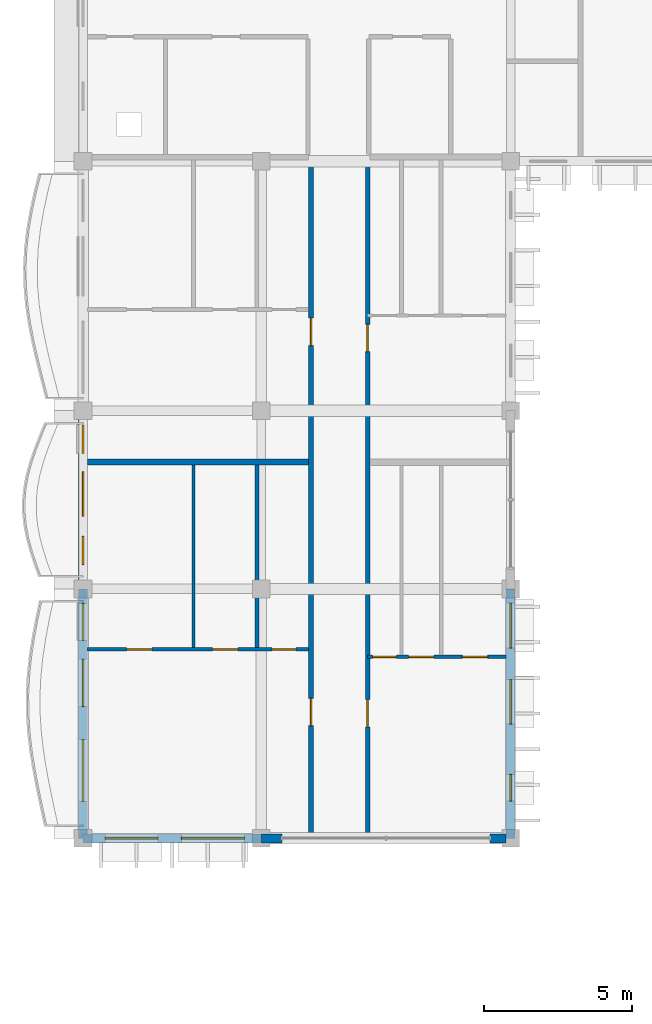
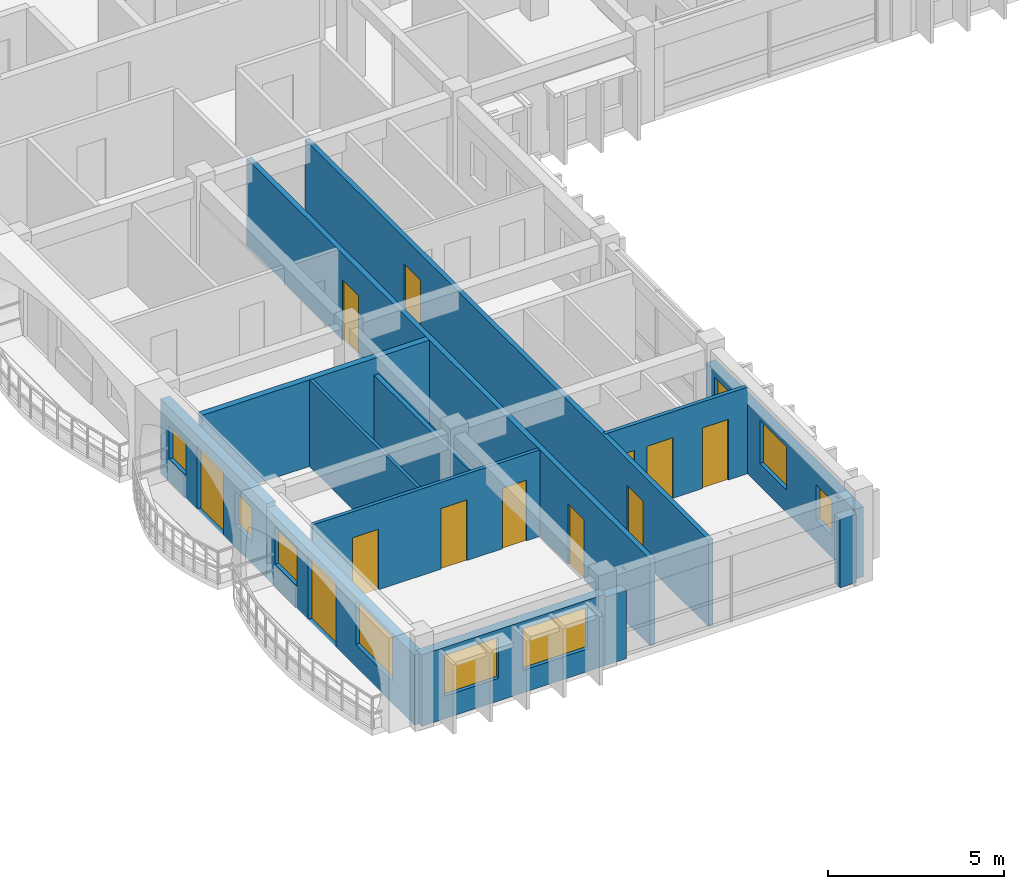
# One storey, part 28 of 68: 13 walls, 12 doors, 9 windows, 21 openings.
"""IFC4 building model written with IfcOpenShell, lengths in metres."""

from ifc_helpers import new_model, si_unit, direction, frame, frame_2d, origin, place, context, subcontext, project, spatial, rectangle, extrude, material, layer, layer_set, type_object, element, fill, save


model = new_model("IFC4")

# Units and contexts
model_context = context("Model", 3, precision=1e-05, world=origin(), true_north=direction((0.0, 1.0)))
body_context = subcontext(model_context, "Body", "Model", "MODEL_VIEW")
ifc_project = project(units=[si_unit("LENGTHUNIT", "METRE"), si_unit("AREAUNIT", "SQUARE_METRE"), si_unit("VOLUMEUNIT", "CUBIC_METRE"), si_unit("PLANEANGLEUNIT", "RADIAN"), si_unit("MASSUNIT", "GRAM", prefix="KILO"), si_unit("THERMODYNAMICTEMPERATUREUNIT", "KELVIN")], contexts=[model_context])

# Site, building, storey
site_placement = place(None, origin())
site = spatial("IfcSite", under=ifc_project, at=site_placement, CompositionType="ELEMENT")
building_placement = place(site_placement, origin())
building = spatial("IfcBuilding", under=site, at=building_placement, Name="Thalorik Housing Commons", CompositionType="ELEMENT")
storey_placement = place(building_placement, frame((0.0, 0.0, 24.60009765625)))
storey = spatial("IfcBuildingStorey", under=building, at=storey_placement, Name="L07", CompositionType="ELEMENT", Elevation=24.60009765625)

# Wall, openings, doors
ifc_material_1 = material(Name="Masonry fire-rated corridor wall", Category="masonry")
ifc_layer_1 = layer(ifc_material_1, 0.14990234375, Name="Masonry fire-rated corridor wall", Category="masonry")
ifc_layer_set_1 = layer_set([ifc_layer_1], Name="Masonry fire-rated corridor wall")
wall_type_1 = type_object("IfcWallType", Name="ARC-WAL-CORR-150", PredefinedType="PARTITIONING", material=ifc_layer_set_1)
wall_1_placement = place(storey_placement, frame((17.97998046875, 86.4599609375, 0.0), z_axis=(0.0, 0.0, 1.0), x_axis=(0.0, 1.0, 0.0)))
wall_1 = element("IfcWall", 1, at=wall_1_placement, inside=storey, type_object=wall_type_1, Name="L07 Block A W Corridor Wall 2", PredefinedType="PARTITIONING", context=body_context, shape_type="SweptSolid", body=[
    extrude(rectangle(XDim=22.880126953125, YDim=0.14990234375, at=frame_2d((11.43994140625, 0.0))), origin(), (0.0, 0.0, 1.0), 3.0),
])
opening_1_placement = place(wall_1_placement, frame((3.694580078125, 0.0, 0.0)))
opening_1 = element("IfcOpeningElement", 2, at=opening_1_placement, cuts=wall_1, Name="Opening ID-0723", PredefinedType="OPENING", context=body_context, shape_type="SweptSolid", body=[
    extrude(rectangle(XDim=0.919921875, YDim=2.10009765625, at=frame_2d((0.4599609375, 1.050048828125))), frame((0.0, 0.0849609375, 0.0), z_axis=(0.0, -1.0, 0.0), x_axis=(1.0, 0.0, 0.0)), (0.0, 0.0, 1.0), 0.169921875),
])
opening_2_placement = place(wall_1_placement, frame((16.32958984375, 0.0, 0.0)))
opening_2 = element("IfcOpeningElement", 3, at=opening_2_placement, cuts=wall_1, Name="Opening ID-0724", PredefinedType="OPENING", context=body_context, shape_type="SweptSolid", body=[
    extrude(rectangle(XDim=0.919921875, YDim=2.10009765625, at=frame_2d((0.4599609375, 1.050048828125))), frame((0.0, 0.0849609375, 0.0), z_axis=(0.0, -1.0, 0.0), x_axis=(1.0, 0.0, 0.0)), (0.0, 0.0, 1.0), 0.169921875),
])
ifc_material_2 = material(Name="Solid core hardwood timber", Category="wood")
door_type_1 = type_object("IfcDoorType", Name="ARC-DR-FD30-920", OperationType="NOTDEFINED", PredefinedType="DOOR", material=ifc_material_2)
door_1_placement = place(opening_1_placement, origin())
door_1 = element("IfcDoor", 4, at=door_1_placement, inside=storey, type_object=door_type_1, Name="L07 Flat AW-1B Entrance Door", OperationType="SINGLE_SWING_RIGHT", OverallHeight=2.10009765625, OverallWidth=0.919921875, PredefinedType="DOOR", context=body_context, shape_type="SweptSolid", body=[
    extrude(rectangle(XDim=0.919921875, YDim=2.10009765625, at=frame_2d((0.4599609375, 1.050048828125))), frame((0.0, 0.02490234375, 0.0), z_axis=(0.0, -1.0, 0.0), x_axis=(1.0, 0.0, 0.0)), (0.0, 0.0, 1.0), 0.050048828125),
])
fill(opening_1, door_1)
door_2_placement = place(opening_2_placement, origin())
door_2 = element("IfcDoor", 5, at=door_2_placement, inside=storey, type_object=door_type_1, Name="L07 Flat AW-2B Entrance Door", OperationType="SINGLE_SWING_LEFT", OverallHeight=2.10009765625, OverallWidth=0.919921875, PredefinedType="DOOR", context=body_context, shape_type="SweptSolid", body=[
    extrude(rectangle(XDim=0.919921875, YDim=2.10009765625, at=frame_2d((0.4599609375, 1.050048828125))), frame((0.0, 0.02490234375, 0.0), z_axis=(0.0, -1.0, 0.0), x_axis=(1.0, 0.0, 0.0)), (0.0, 0.0, 1.0), 0.050048828125),
])
fill(opening_2, door_2)

ifc_layer_2 = layer(ifc_material_1, 0.1650390625, Name="Masonry fire-rated corridor wall", Category="masonry")
ifc_layer_set_2 = layer_set([ifc_layer_2], Name="Masonry fire-rated corridor wall")
wall_type_2 = type_object("IfcWallType", Name="ARC-WAL-CORR-165", PredefinedType="PARTITIONING", material=ifc_layer_set_2)
wall_2_placement = place(storey_placement, frame((16.080078125, 86.4599609375, 0.0), z_axis=(0.0, 0.0, 1.0), x_axis=(0.0, 1.0, 0.0)))
wall_2 = element("IfcWall", 6, at=wall_2_placement, inside=storey, type_object=wall_type_2, Name="L07 Block A W Corridor Wall 1", PredefinedType="PARTITIONING", context=body_context, shape_type="SweptSolid", body=[
    extrude(rectangle(XDim=22.880126953125, YDim=0.1650390625, at=frame_2d((11.43994140625, 0.0))), origin(), (0.0, 0.0, 1.0), 3.0),
])
opening_3_placement = place(wall_2_placement, frame((3.732421875, 0.0, 0.0)))
opening_3 = element("IfcOpeningElement", 7, at=opening_3_placement, cuts=wall_2, Name="Opening ID-0721", PredefinedType="OPENING", context=body_context, shape_type="SweptSolid", body=[
    extrude(rectangle(XDim=0.919921875, YDim=2.10009765625, at=frame_2d((0.4599609375, 1.050048828125))), frame((0.0, 0.092529296875, 0.0), z_axis=(0.0, -1.0, 0.0), x_axis=(1.0, 0.0, 0.0)), (0.0, 0.0, 1.0), 0.18505859375),
])
opening_4_placement = place(wall_2_placement, frame((16.534912109375, 0.0, 0.0)))
opening_4 = element("IfcOpeningElement", 8, at=opening_4_placement, cuts=wall_2, Name="Opening ID-0722", PredefinedType="OPENING", context=body_context, shape_type="SweptSolid", body=[
    extrude(rectangle(XDim=0.919921875, YDim=2.10009765625, at=frame_2d((0.4599609375, 1.050048828125))), frame((0.0, 0.092529296875, 0.0), z_axis=(0.0, -1.0, 0.0), x_axis=(1.0, 0.0, 0.0)), (0.0, 0.0, 1.0), 0.18505859375),
])
door_3_placement = place(opening_3_placement, origin())
door_3 = element("IfcDoor", 9, at=door_3_placement, inside=storey, type_object=door_type_1, Name="L07 Flat AW-1A Entrance Door", OperationType="SINGLE_SWING_RIGHT", OverallHeight=2.10009765625, OverallWidth=0.919921875, PredefinedType="DOOR", context=body_context, shape_type="SweptSolid", body=[
    extrude(rectangle(XDim=0.919921875, YDim=2.10009765625, at=frame_2d((0.4599609375, 1.050048828125))), frame((0.0, 0.02490234375, 0.0), z_axis=(0.0, -1.0, 0.0), x_axis=(1.0, 0.0, 0.0)), (0.0, 0.0, 1.0), 0.050048828125),
])
fill(opening_3, door_3)
door_4_placement = place(opening_4_placement, origin())
door_4 = element("IfcDoor", 10, at=door_4_placement, inside=storey, type_object=door_type_1, Name="L07 Flat AW-2A Entrance Door", OperationType="SINGLE_SWING_LEFT", OverallHeight=2.10009765625, OverallWidth=0.919921875, PredefinedType="DOOR", context=body_context, shape_type="SweptSolid", body=[
    extrude(rectangle(XDim=0.919921875, YDim=2.10009765625, at=frame_2d((0.4599609375, 1.050048828125))), frame((0.0, 0.02490234375, 0.0), z_axis=(0.0, -1.0, 0.0), x_axis=(1.0, 0.0, 0.0)), (0.0, 0.0, 1.0), 0.050048828125),
])
fill(opening_4, door_4)

# Wall, openings, door, windows
ifc_material_3 = material(Name="White precast concrete C40/50", Category="concrete")
ifc_layer_3 = layer(ifc_material_3, 0.304931640625, Name="White precast concrete C40/50", Category="concrete")
ifc_layer_set_3 = layer_set([ifc_layer_3], Name="White precast concrete C40/50")
wall_type_3 = type_object("IfcWallType", Name="ARC-WAL-EXT-305", PredefinedType="STANDARD", material=ifc_layer_set_3)
wall_3_placement = place(storey_placement, frame((8.39990234375, 100.800048828125, 0.0), z_axis=(0.0, 0.0, 1.0), x_axis=(0.0, -1.0, 0.0)))
wall_3 = element("IfcWall", 11, at=wall_3_placement, inside=storey, type_object=wall_type_3, Name="L07 Exterior Wall WAL-EXT-L07-A-0206", PredefinedType="STANDARD", context=body_context, shape_type="SweptSolid", body=[
    extrude(rectangle(XDim=6.0, YDim=0.304931640625, at=frame_2d((3.0, 0.0))), origin(), (0.0, 0.0, 1.0), 2.574951171875),
])
opening_5_placement = place(wall_3_placement, frame((2.06005859375, 0.0, 0.0)))
opening_5 = element("IfcOpeningElement", 12, at=opening_5_placement, cuts=wall_3, Name="Opening ED-0066", PredefinedType="OPENING", context=body_context, shape_type="SweptSolid", body=[
    extrude(rectangle(XDim=1.5, YDim=2.199951171875, at=frame_2d((0.75, 1.10009765625))), frame((0.0, 0.16259765625, 0.0), z_axis=(0.0, -1.0, 0.0), x_axis=(1.0, 0.0, 0.0)), (0.0, 0.0, 1.0), 0.324951171875),
])
opening_6_placement = place(wall_3_placement, frame((0.485107421875, 0.0, 0.780029296875)))
opening_6 = element("IfcOpeningElement", 13, at=opening_6_placement, cuts=wall_3, Name="Opening W-43", PredefinedType="OPENING", context=body_context, shape_type="SweptSolid", body=[
    extrude(rectangle(XDim=0.949951171875, YDim=1.14990234375, at=frame_2d((0.47509765625, 0.574951171875))), frame((0.0, 0.16259765625, 0.0), z_axis=(0.0, -1.0, 0.0), x_axis=(1.0, 0.0, 0.0)), (0.0, 0.0, 1.0), 0.324951171875),
])
opening_7_placement = place(wall_3_placement, frame((4.235107421875, 0.0, 0.780029296875)))
opening_7 = element("IfcOpeningElement", 14, at=opening_7_placement, cuts=wall_3, Name="Opening W-43", PredefinedType="OPENING", context=body_context, shape_type="SweptSolid", body=[
    extrude(rectangle(XDim=0.949951171875, YDim=1.14990234375, at=frame_2d((0.47509765625, 0.574951171875))), frame((0.0, 0.16259765625, 0.0), z_axis=(0.0, -1.0, 0.0), x_axis=(1.0, 0.0, 0.0)), (0.0, 0.0, 1.0), 0.324951171875),
])
ifc_material_4 = material(Name="Anodised aluminium and laminated safety glass", Category="aluminium")
door_type_2 = type_object("IfcDoorType", Name="ARC-DR-BAL-1500", OperationType="NOTDEFINED", PredefinedType="DOOR", material=ifc_material_4)
door_5_placement = place(opening_5_placement, frame((1.5, 0.0, 0.0), z_axis=(0.0, 0.0, 1.0), x_axis=(-1.0, 0.0, 0.0)))
door_5 = element("IfcDoor", 15, at=door_5_placement, inside=storey, type_object=door_type_2, Name="L07 Block A Balcony Glazed Door", OperationType="SLIDING_TO_RIGHT", OverallHeight=2.199951171875, OverallWidth=1.5, PredefinedType="DOOR", context=body_context, shape_type="SweptSolid", body=[
    extrude(rectangle(XDim=1.5, YDim=2.199951171875, at=frame_2d((0.75, 1.10009765625))), frame((0.0, 0.02490234375, 0.0), z_axis=(0.0, -1.0, 0.0), x_axis=(1.0, 0.0, 0.0)), (0.0, 0.0, 1.0), 0.050048828125),
])
fill(opening_5, door_5)
ifc_material_5 = material(Name="Anodised aluminium and solar-control low-E glass", Category="aluminium")
window_type_1 = type_object("IfcWindowType", Name="ARC-WIN-43", PartitioningType="SINGLE_PANEL", PredefinedType="WINDOW", material=ifc_material_5)
window_1_placement = place(opening_6_placement, origin())
window_1 = element("IfcWindow", 16, at=window_1_placement, inside=storey, type_object=window_type_1, Name="L07 Facade Window 367", OverallHeight=1.14990234375, OverallWidth=0.949951171875, PartitioningType="SINGLE_PANEL", PredefinedType="WINDOW", context=body_context, shape_type="SweptSolid", body=[
    extrude(rectangle(XDim=0.949951171875, YDim=1.14990234375, at=frame_2d((0.47509765625, 0.574951171875))), frame((0.0, 0.030029296875, 0.0), z_axis=(0.0, -1.0, 0.0), x_axis=(1.0, 0.0, 0.0)), (0.0, 0.0, 1.0), 0.06005859375),
])
fill(opening_6, window_1)
window_2_placement = place(opening_7_placement, origin())
window_2 = element("IfcWindow", 17, at=window_2_placement, inside=storey, type_object=window_type_1, Name="L07 Facade Window 368", OverallHeight=1.14990234375, OverallWidth=0.949951171875, PartitioningType="SINGLE_PANEL", PredefinedType="WINDOW", context=body_context, shape_type="SweptSolid", body=[
    extrude(rectangle(XDim=0.949951171875, YDim=1.14990234375, at=frame_2d((0.47509765625, 0.574951171875))), frame((0.0, 0.030029296875, 0.0), z_axis=(0.0, -1.0, 0.0), x_axis=(1.0, 0.0, 0.0)), (0.0, 0.0, 1.0), 0.06005859375),
])
fill(opening_7, window_2)

wall_4_placement = place(storey_placement, frame((8.39990234375, 94.800048828125, 0.0), z_axis=(0.0, 0.0, 1.0), x_axis=(0.0, -1.0, 0.0)))
wall_4 = element("IfcWall", 18, at=wall_4_placement, inside=storey, type_object=wall_type_3, Name="L07 Exterior Wall WAL-EXT-L07-A-0207", PredefinedType="STANDARD", context=body_context, shape_type="SweptSolid", body=[
    extrude(rectangle(XDim=8.400146484375, YDim=0.304931640625, at=frame_2d((4.2001953125, 0.0))), origin(), (0.0, 0.0, 1.0), 2.4248046875),
])
opening_8_placement = place(wall_4_placement, frame((2.364990234375, 0.0, 0.0)))
opening_8 = element("IfcOpeningElement", 19, at=opening_8_placement, cuts=wall_4, Name="Opening ED-0067", PredefinedType="OPENING", context=body_context, shape_type="SweptSolid", body=[
    extrude(rectangle(XDim=1.60009765625, YDim=2.199951171875, at=frame_2d((0.800048828125, 1.10009765625))), frame((0.0, 0.16259765625, 0.0), z_axis=(0.0, -1.0, 0.0), x_axis=(1.0, 0.0, 0.0)), (0.0, 0.0, 1.0), 0.324951171875),
])
opening_9_placement = place(wall_4_placement, frame((0.487548828125, 0.0, 0.780029296875)))
opening_9 = element("IfcOpeningElement", 20, at=opening_9_placement, cuts=wall_4, Name="Opening W-46", PredefinedType="OPENING", context=body_context, shape_type="SweptSolid", body=[
    extrude(rectangle(XDim=1.25, YDim=1.300048828125, at=frame_2d((0.625, 0.64990234375))), frame((0.0, 0.16259765625, 0.0), z_axis=(0.0, -1.0, 0.0), x_axis=(1.0, 0.0, 0.0)), (0.0, 0.0, 1.0), 0.324951171875),
])
opening_10_placement = place(wall_4_placement, frame((5.072509765625, 0.0, 0.780029296875)))
opening_10 = element("IfcOpeningElement", 21, at=opening_10_placement, cuts=wall_4, Name="Opening W-63", PredefinedType="OPENING", context=body_context, shape_type="SweptSolid", body=[
    extrude(rectangle(XDim=2.080078125, YDim=1.52001953125, at=frame_2d((1.0400390625, 0.760009765625))), frame((0.0, 0.16259765625, 0.0), z_axis=(0.0, -1.0, 0.0), x_axis=(1.0, 0.0, 0.0)), (0.0, 0.0, 1.0), 0.324951171875),
])
door_type_3 = type_object("IfcDoorType", Name="ARC-DR-BAL-1600", OperationType="NOTDEFINED", PredefinedType="DOOR", material=ifc_material_4)
door_6_placement = place(opening_8_placement, frame((1.60009765625, 0.0, 0.0), z_axis=(0.0, 0.0, 1.0), x_axis=(-1.0, 0.0, 0.0)))
door_6 = element("IfcDoor", 22, at=door_6_placement, inside=storey, type_object=door_type_3, Name="L07 Block A Balcony Glazed Door", OperationType="SLIDING_TO_LEFT", OverallHeight=2.199951171875, OverallWidth=1.60009765625, PredefinedType="DOOR", context=body_context, shape_type="SweptSolid", body=[
    extrude(rectangle(XDim=1.60009765625, YDim=2.199951171875, at=frame_2d((0.800048828125, 1.10009765625))), frame((0.0, 0.02490234375, 0.0), z_axis=(0.0, -1.0, 0.0), x_axis=(1.0, 0.0, 0.0)), (0.0, 0.0, 1.0), 0.050048828125),
])
fill(opening_8, door_6)
window_type_2 = type_object("IfcWindowType", Name="ARC-WIN-46", PartitioningType="SINGLE_PANEL", PredefinedType="WINDOW", material=ifc_material_5)
window_3_placement = place(opening_9_placement, origin())
window_3 = element("IfcWindow", 23, at=window_3_placement, inside=storey, type_object=window_type_2, Name="L07 Facade Window 369", OverallHeight=1.300048828125, OverallWidth=1.25, PartitioningType="SINGLE_PANEL", PredefinedType="WINDOW", context=body_context, shape_type="SweptSolid", body=[
    extrude(rectangle(XDim=1.25, YDim=1.300048828125, at=frame_2d((0.625, 0.64990234375))), frame((0.0, 0.030029296875, 0.0), z_axis=(0.0, -1.0, 0.0), x_axis=(1.0, 0.0, 0.0)), (0.0, 0.0, 1.0), 0.06005859375),
])
fill(opening_9, window_3)
window_type_3 = type_object("IfcWindowType", Name="ARC-WIN-63", PartitioningType="DOUBLE_PANEL_VERTICAL", PredefinedType="WINDOW", material=ifc_material_5)
window_4_placement = place(opening_10_placement, origin())
window_4 = element("IfcWindow", 24, at=window_4_placement, inside=storey, type_object=window_type_3, Name="L07 Facade Window 370", OverallHeight=1.52001953125, OverallWidth=2.080078125, PartitioningType="DOUBLE_PANEL_VERTICAL", PredefinedType="WINDOW", context=body_context, shape_type="SweptSolid", body=[
    extrude(rectangle(XDim=2.080078125, YDim=1.52001953125, at=frame_2d((1.0400390625, 0.760009765625))), frame((0.0, 0.030029296875, 0.0), z_axis=(0.0, -1.0, 0.0), x_axis=(1.0, 0.0, 0.0)), (0.0, 0.0, 1.0), 0.06005859375),
])
fill(opening_10, window_4)

# Wall, openings, windows
wall_5_placement = place(storey_placement, frame((8.39990234375, 86.39990234375, 0.0), z_axis=(0.0, 0.0, 1.0), x_axis=(1.0, 0.0, 0.0)))
wall_5 = element("IfcWall", 25, at=wall_5_placement, inside=storey, type_object=wall_type_3, Name="L07 Exterior Wall WAL-EXT-L07-A-0208", PredefinedType="STANDARD", context=body_context, shape_type="SweptSolid", body=[
    extrude(rectangle(XDim=6.0, YDim=0.304931640625, at=frame_2d((3.0, 0.0))), origin(), (0.0, 0.0, 1.0), 2.474853515625),
])
opening_11_placement = place(wall_5_placement, frame((0.739990234375, 0.0, 0.780029296875)))
opening_11 = element("IfcOpeningElement", 26, at=opening_11_placement, cuts=wall_5, Name="Opening W-57", PredefinedType="OPENING", context=body_context, shape_type="SweptSolid", body=[
    extrude(rectangle(XDim=1.780029296875, YDim=1.419921875, at=frame_2d((0.89013671875, 0.7099609375))), frame((0.0, 0.16259765625, 0.0), z_axis=(0.0, -1.0, 0.0), x_axis=(1.0, 0.0, 0.0)), (0.0, 0.0, 1.0), 0.324951171875),
])
opening_12_placement = place(wall_5_placement, frame((3.31005859375, 0.0, 0.780029296875)))
opening_12 = element("IfcOpeningElement", 27, at=opening_12_placement, cuts=wall_5, Name="Opening W-64", PredefinedType="OPENING", context=body_context, shape_type="SweptSolid", body=[
    extrude(rectangle(XDim=2.1201171875, YDim=1.43994140625, at=frame_2d((1.06005859375, 0.719970703125))), frame((0.0, 0.16259765625, 0.0), z_axis=(0.0, -1.0, 0.0), x_axis=(1.0, 0.0, 0.0)), (0.0, 0.0, 1.0), 0.324951171875),
])
window_type_4 = type_object("IfcWindowType", Name="ARC-WIN-57", PartitioningType="DOUBLE_PANEL_VERTICAL", PredefinedType="WINDOW", material=ifc_material_5)
window_5_placement = place(opening_11_placement, origin())
window_5 = element("IfcWindow", 28, at=window_5_placement, inside=storey, type_object=window_type_4, Name="L07 Facade Window 371", OverallHeight=1.419921875, OverallWidth=1.780029296875, PartitioningType="DOUBLE_PANEL_VERTICAL", PredefinedType="WINDOW", context=body_context, shape_type="SweptSolid", body=[
    extrude(rectangle(XDim=1.780029296875, YDim=1.419921875, at=frame_2d((0.89013671875, 0.7099609375))), frame((0.0, 0.030029296875, 0.0), z_axis=(0.0, -1.0, 0.0), x_axis=(1.0, 0.0, 0.0)), (0.0, 0.0, 1.0), 0.06005859375),
])
fill(opening_11, window_5)
window_type_5 = type_object("IfcWindowType", Name="ARC-WIN-64", PartitioningType="DOUBLE_PANEL_VERTICAL", PredefinedType="WINDOW", material=ifc_material_5)
window_6_placement = place(opening_12_placement, origin())
window_6 = element("IfcWindow", 29, at=window_6_placement, inside=storey, type_object=window_type_5, Name="L07 Facade Window 372", OverallHeight=1.43994140625, OverallWidth=2.1201171875, PartitioningType="DOUBLE_PANEL_VERTICAL", PredefinedType="WINDOW", context=body_context, shape_type="SweptSolid", body=[
    extrude(rectangle(XDim=2.1201171875, YDim=1.43994140625, at=frame_2d((1.06005859375, 0.719970703125))), frame((0.0, 0.030029296875, 0.0), z_axis=(0.0, -1.0, 0.0), x_axis=(1.0, 0.0, 0.0)), (0.0, 0.0, 1.0), 0.06005859375),
])
fill(opening_12, window_6)

# Walls
wall_6_placement = place(storey_placement, frame((14.39990234375, 86.39990234375, 0.0), z_axis=(0.0, 0.0, 1.0), x_axis=(1.0, 0.0, 0.0)))
element("IfcWall", 30, at=wall_6_placement, inside=storey, type_object=wall_type_3, Name="L07 Exterior Wall WAL-PIERL-L07-A-0209", PredefinedType="STANDARD", context=body_context, shape_type="SweptSolid", body=[
    extrude(rectangle(XDim=0.7001953125, YDim=0.304931640625, at=frame_2d((0.35009765625, 0.0))), origin(), (0.0, 0.0, 1.0), 2.375),
])
wall_7_placement = place(storey_placement, frame((22.10009765625, 86.39990234375, 0.0), z_axis=(0.0, 0.0, 1.0), x_axis=(1.0, 0.0, 0.0)))
element("IfcWall", 31, at=wall_7_placement, inside=storey, type_object=wall_type_3, Name="L07 Exterior Wall WAL-PIERR-L07-A-0209", PredefinedType="STANDARD", context=body_context, shape_type="SweptSolid", body=[
    extrude(rectangle(XDim=0.54541015625, YDim=0.304931640625, at=frame_2d((0.272705078125, 0.0))), origin(), (0.0, 0.0, 1.0), 2.375),
])

# Wall, openings, windows
wall_8_placement = place(storey_placement, frame((22.800048828125, 86.39990234375, 0.0), z_axis=(0.0, 0.0, 1.0), x_axis=(0.0, 1.0, 0.0)))
wall_8 = element("IfcWall", 32, at=wall_8_placement, inside=storey, type_object=wall_type_3, Name="L07 Exterior Wall WAL-EXT-L07-A-0210", PredefinedType="STANDARD", context=body_context, shape_type="SweptSolid", body=[
    extrude(rectangle(XDim=8.400146484375, YDim=0.304931640625, at=frame_2d((4.2001953125, 0.0))), origin(), (0.0, 0.0, 1.0), 2.4248046875),
])
opening_13_placement = place(wall_8_placement, frame((1.255615234375, 0.0, 0.780029296875)))
opening_13 = element("IfcOpeningElement", 33, at=opening_13_placement, cuts=wall_8, Name="Opening W-01", PredefinedType="OPENING", context=body_context, shape_type="SweptSolid", body=[
    extrude(rectangle(XDim=0.89990234375, YDim=1.199951171875, at=frame_2d((0.449951171875, 0.60009765625))), frame((0.0, 0.16259765625, 0.0), z_axis=(0.0, -1.0, 0.0), x_axis=(1.0, 0.0, 0.0)), (0.0, 0.0, 1.0), 0.324951171875),
])
opening_14_placement = place(wall_8_placement, frame((3.84716796875, 0.0, 0.780029296875)))
opening_14 = element("IfcOpeningElement", 34, at=opening_14_placement, cuts=wall_8, Name="Opening W-10", PredefinedType="OPENING", context=body_context, shape_type="SweptSolid", body=[
    extrude(rectangle(XDim=1.5, YDim=1.5, at=frame_2d((0.75, 0.75))), frame((0.0, 0.16259765625, 0.0), z_axis=(0.0, -1.0, 0.0), x_axis=(1.0, 0.0, 0.0)), (0.0, 0.0, 1.0), 0.324951171875),
])
opening_15_placement = place(wall_8_placement, frame((6.4013671875, 0.0, 0.780029296875)))
opening_15 = element("IfcOpeningElement", 35, at=opening_15_placement, cuts=wall_8, Name="Opening W-52", PredefinedType="OPENING", context=body_context, shape_type="SweptSolid", body=[
    extrude(rectangle(XDim=1.52001953125, YDim=1.419921875, at=frame_2d((0.760009765625, 0.7099609375))), frame((0.0, 0.16259765625, 0.0), z_axis=(0.0, -1.0, 0.0), x_axis=(1.0, 0.0, 0.0)), (0.0, 0.0, 1.0), 0.324951171875),
])
window_type_6 = type_object("IfcWindowType", Name="ARC-WIN-01", PartitioningType="SINGLE_PANEL", PredefinedType="WINDOW", material=ifc_material_5)
window_7_placement = place(opening_13_placement, origin())
window_7 = element("IfcWindow", 36, at=window_7_placement, inside=storey, type_object=window_type_6, Name="L07 Facade Window 373", OverallHeight=1.199951171875, OverallWidth=0.89990234375, PartitioningType="SINGLE_PANEL", PredefinedType="WINDOW", context=body_context, shape_type="SweptSolid", body=[
    extrude(rectangle(XDim=0.89990234375, YDim=1.199951171875, at=frame_2d((0.449951171875, 0.60009765625))), frame((0.0, 0.030029296875, 0.0), z_axis=(0.0, -1.0, 0.0), x_axis=(1.0, 0.0, 0.0)), (0.0, 0.0, 1.0), 0.06005859375),
])
fill(opening_13, window_7)
window_type_7 = type_object("IfcWindowType", Name="ARC-WIN-10", PartitioningType="SINGLE_PANEL", PredefinedType="WINDOW", material=ifc_material_5)
window_8_placement = place(opening_14_placement, origin())
window_8 = element("IfcWindow", 37, at=window_8_placement, inside=storey, type_object=window_type_7, Name="L07 Facade Window 374", OverallHeight=1.5, OverallWidth=1.5, PartitioningType="SINGLE_PANEL", PredefinedType="WINDOW", context=body_context, shape_type="SweptSolid", body=[
    extrude(rectangle(XDim=1.5, YDim=1.5, at=frame_2d((0.75, 0.75))), frame((0.0, 0.030029296875, 0.0), z_axis=(0.0, -1.0, 0.0), x_axis=(1.0, 0.0, 0.0)), (0.0, 0.0, 1.0), 0.06005859375),
])
fill(opening_14, window_8)
window_type_8 = type_object("IfcWindowType", Name="ARC-WIN-52", PartitioningType="SINGLE_PANEL", PredefinedType="WINDOW", material=ifc_material_5)
window_9_placement = place(opening_15_placement, origin())
window_9 = element("IfcWindow", 38, at=window_9_placement, inside=storey, type_object=window_type_8, Name="L07 Facade Window 375", OverallHeight=1.419921875, OverallWidth=1.52001953125, PartitioningType="SINGLE_PANEL", PredefinedType="WINDOW", context=body_context, shape_type="SweptSolid", body=[
    extrude(rectangle(XDim=1.52001953125, YDim=1.419921875, at=frame_2d((0.760009765625, 0.7099609375))), frame((0.0, 0.030029296875, 0.0), z_axis=(0.0, -1.0, 0.0), x_axis=(1.0, 0.0, 0.0)), (0.0, 0.0, 1.0), 0.06005859375),
])
fill(opening_15, window_9)

# Wall
ifc_material_6 = material(Name="Gypsum light stud partition", Category="masonry")
ifc_layer_4 = layer(ifc_material_6, 0.10009765625, Name="Gypsum light stud partition", Category="masonry")
ifc_layer_set_4 = layer_set([ifc_layer_4], Name="Gypsum light stud partition")
wall_type_4 = type_object("IfcWallType", Name="ARC-WAL-PART-100", PredefinedType="PARTITIONING", material=ifc_layer_set_4)
wall_9_placement = place(storey_placement, frame((12.11767578125, 92.824462890625, 0.0), z_axis=(0.0, 0.0, 1.0), x_axis=(0.0, 1.0, 0.0)))
element("IfcWall", 39, at=wall_9_placement, inside=storey, type_object=wall_type_4, Name="L07 Unit 1 Bedroom Partition", PredefinedType="PARTITIONING", context=body_context, shape_type="SweptSolid", body=[
    extrude(rectangle(XDim=6.1435546875, YDim=0.10009765625, at=frame_2d((3.07177734375, 0.0))), origin(), (0.0, 0.0, 1.0), 3.0),
])

# Wall, openings, doors
ifc_material_7 = material(Name="Gypsum moisture-resistant partition", Category="masonry")
ifc_layer_5 = layer(ifc_material_7, 0.114990234375, Name="Gypsum moisture-resistant partition", Category="masonry")
ifc_layer_set_5 = layer_set([ifc_layer_5], Name="Gypsum moisture-resistant partition")
wall_type_5 = type_object("IfcWallType", Name="ARC-WAL-PART-115", PredefinedType="PARTITIONING", material=ifc_layer_set_5)
wall_10_placement = place(storey_placement, frame((8.554443359375, 92.764892578125, 0.0), z_axis=(0.0, 0.0, 1.0), x_axis=(1.0, 0.0, 0.0)))
wall_10 = element("IfcWall", 40, at=wall_10_placement, inside=storey, type_object=wall_type_5, Name="L07 Unit 1 Spine Partition", PredefinedType="PARTITIONING", context=body_context, shape_type="SweptSolid", body=[
    extrude(rectangle(XDim=7.441162109375, YDim=0.114990234375, at=frame_2d((3.720703125, 0.0))), origin(), (0.0, 0.0, 1.0), 3.0),
])
opening_16_placement = place(wall_10_placement, frame((1.309326171875, 0.0, 0.0)))
opening_16 = element("IfcOpeningElement", 41, at=opening_16_placement, cuts=wall_10, Name="Opening ID-0709", PredefinedType="OPENING", context=body_context, shape_type="SweptSolid", body=[
    extrude(rectangle(XDim=0.85009765625, YDim=2.10009765625, at=frame_2d((0.425048828125, 1.050048828125))), frame((0.0, 0.0673828125, 0.0), z_axis=(0.0, -1.0, 0.0), x_axis=(1.0, 0.0, 0.0)), (0.0, 0.0, 1.0), 0.135009765625),
])
opening_17_placement = place(wall_10_placement, frame((4.204833984375, 0.0, 0.0)))
opening_17 = element("IfcOpeningElement", 42, at=opening_17_placement, cuts=wall_10, Name="Opening ID-0710", PredefinedType="OPENING", context=body_context, shape_type="SweptSolid", body=[
    extrude(rectangle(XDim=0.85009765625, YDim=2.10009765625, at=frame_2d((0.425048828125, 1.050048828125))), frame((0.0, 0.0673828125, 0.0), z_axis=(0.0, -1.0, 0.0), x_axis=(1.0, 0.0, 0.0)), (0.0, 0.0, 1.0), 0.135009765625),
])
opening_18_placement = place(wall_10_placement, frame((6.211181640625, 0.0, 0.0)))
opening_18 = element("IfcOpeningElement", 43, at=opening_18_placement, cuts=wall_10, Name="Opening ID-0711", PredefinedType="OPENING", context=body_context, shape_type="SweptSolid", body=[
    extrude(rectangle(XDim=0.800048828125, YDim=2.10009765625, at=frame_2d((0.39990234375, 1.050048828125))), frame((0.0, 0.0673828125, 0.0), z_axis=(0.0, -1.0, 0.0), x_axis=(1.0, 0.0, 0.0)), (0.0, 0.0, 1.0), 0.135009765625),
])
ifc_material_8 = material(Name="Moisture-resistant timber", Category="wood")
door_type_4 = type_object("IfcDoorType", Name="ARC-DR-INT-800", OperationType="NOTDEFINED", PredefinedType="DOOR", material=ifc_material_8)
door_7_placement = place(opening_18_placement, origin())
door_7 = element("IfcDoor", 44, at=door_7_placement, inside=storey, type_object=door_type_4, Name="L07 Flat Bathroom Door", OperationType="SINGLE_SWING_RIGHT", OverallHeight=2.10009765625, OverallWidth=0.800048828125, PredefinedType="DOOR", context=body_context, shape_type="SweptSolid", body=[
    extrude(rectangle(XDim=0.800048828125, YDim=2.10009765625, at=frame_2d((0.39990234375, 1.050048828125))), frame((0.0, 0.02490234375, 0.0), z_axis=(0.0, -1.0, 0.0), x_axis=(1.0, 0.0, 0.0)), (0.0, 0.0, 1.0), 0.050048828125),
])
fill(opening_18, door_7)
ifc_material_9 = material(Name="Engineered oak timber", Category="wood")
door_type_5 = type_object("IfcDoorType", Name="ARC-DR-INT-850", OperationType="NOTDEFINED", PredefinedType="DOOR", material=ifc_material_9)
door_8_placement = place(opening_16_placement, origin())
door_8 = element("IfcDoor", 45, at=door_8_placement, inside=storey, type_object=door_type_5, Name="L07 Master Bedroom Door", OperationType="SINGLE_SWING_RIGHT", OverallHeight=2.10009765625, OverallWidth=0.85009765625, PredefinedType="DOOR", context=body_context, shape_type="SweptSolid", body=[
    extrude(rectangle(XDim=0.85009765625, YDim=2.10009765625, at=frame_2d((0.425048828125, 1.050048828125))), frame((0.0, 0.02490234375, 0.0), z_axis=(0.0, -1.0, 0.0), x_axis=(1.0, 0.0, 0.0)), (0.0, 0.0, 1.0), 0.050048828125),
])
fill(opening_16, door_8)
door_9_placement = place(opening_17_placement, origin())
door_9 = element("IfcDoor", 46, at=door_9_placement, inside=storey, type_object=door_type_5, Name="L07 Eat-In Kitchen Door", OperationType="SINGLE_SWING_LEFT", OverallHeight=2.10009765625, OverallWidth=0.85009765625, PredefinedType="DOOR", context=body_context, shape_type="SweptSolid", body=[
    extrude(rectangle(XDim=0.85009765625, YDim=2.10009765625, at=frame_2d((0.425048828125, 1.050048828125))), frame((0.0, 0.02490234375, 0.0), z_axis=(0.0, -1.0, 0.0), x_axis=(1.0, 0.0, 0.0)), (0.0, 0.0, 1.0), 0.050048828125),
])
fill(opening_17, door_9)

ifc_material_10 = material(Name="Gypsum acoustic stud partition", Category="masonry")
ifc_layer_6 = layer(ifc_material_10, 0.125, Name="Gypsum acoustic stud partition", Category="masonry")
ifc_layer_set_6 = layer_set([ifc_layer_6], Name="Gypsum acoustic stud partition")
wall_type_6 = type_object("IfcWallType", Name="ARC-WAL-PART-125", PredefinedType="PARTITIONING", material=ifc_layer_set_6)
wall_11_placement = place(storey_placement, frame((17.97998046875, 92.5126953125, 0.0), z_axis=(0.0, 0.0, 1.0), x_axis=(1.0, 0.0, 0.0)))
wall_11 = element("IfcWall", 47, at=wall_11_placement, inside=storey, type_object=wall_type_6, Name="L07 Unit 1B Spine Partition", PredefinedType="PARTITIONING", context=body_context, shape_type="SweptSolid", body=[
    extrude(rectangle(XDim=4.66552734375, YDim=0.125, at=frame_2d((2.332763671875, 0.0))), origin(), (0.0, 0.0, 1.0), 3.0),
])
opening_19_placement = place(wall_11_placement, frame((0.171142578125, 0.0, 0.0)))
opening_19 = element("IfcOpeningElement", 48, at=opening_19_placement, cuts=wall_11, Name="Opening ID-0712", PredefinedType="OPENING", context=body_context, shape_type="SweptSolid", body=[
    extrude(rectangle(XDim=0.800048828125, YDim=2.10009765625, at=frame_2d((0.39990234375, 1.050048828125))), frame((0.0, 0.072509765625, 0.0), z_axis=(0.0, -1.0, 0.0), x_axis=(1.0, 0.0, 0.0)), (0.0, 0.0, 1.0), 0.14501953125),
])
opening_20_placement = place(wall_11_placement, frame((1.3837890625, 0.0, 0.0)))
opening_20 = element("IfcOpeningElement", 49, at=opening_20_placement, cuts=wall_11, Name="Opening ID-0713", PredefinedType="OPENING", context=body_context, shape_type="SweptSolid", body=[
    extrude(rectangle(XDim=0.85009765625, YDim=2.10009765625, at=frame_2d((0.425048828125, 1.050048828125))), frame((0.0, 0.072509765625, 0.0), z_axis=(0.0, -1.0, 0.0), x_axis=(1.0, 0.0, 0.0)), (0.0, 0.0, 1.0), 0.14501953125),
])
opening_21_placement = place(wall_11_placement, frame((3.192626953125, 0.0, 0.0)))
opening_21 = element("IfcOpeningElement", 50, at=opening_21_placement, cuts=wall_11, Name="Opening ID-0714", PredefinedType="OPENING", context=body_context, shape_type="SweptSolid", body=[
    extrude(rectangle(XDim=0.85009765625, YDim=2.10009765625, at=frame_2d((0.425048828125, 1.050048828125))), frame((0.0, 0.072509765625, 0.0), z_axis=(0.0, -1.0, 0.0), x_axis=(1.0, 0.0, 0.0)), (0.0, 0.0, 1.0), 0.14501953125),
])
door_10_placement = place(opening_19_placement, origin())
door_10 = element("IfcDoor", 51, at=door_10_placement, inside=storey, type_object=door_type_4, Name="L07 Flat Bathroom Door", OperationType="SINGLE_SWING_LEFT", OverallHeight=2.10009765625, OverallWidth=0.800048828125, PredefinedType="DOOR", context=body_context, shape_type="SweptSolid", body=[
    extrude(rectangle(XDim=0.800048828125, YDim=2.10009765625, at=frame_2d((0.39990234375, 1.050048828125))), frame((0.0, 0.02490234375, 0.0), z_axis=(0.0, -1.0, 0.0), x_axis=(1.0, 0.0, 0.0)), (0.0, 0.0, 1.0), 0.050048828125),
])
fill(opening_19, door_10)
door_11_placement = place(opening_20_placement, origin())
door_11 = element("IfcDoor", 52, at=door_11_placement, inside=storey, type_object=door_type_5, Name="L07 Galley Kitchen Door", OperationType="SINGLE_SWING_RIGHT", OverallHeight=2.10009765625, OverallWidth=0.85009765625, PredefinedType="DOOR", context=body_context, shape_type="SweptSolid", body=[
    extrude(rectangle(XDim=0.85009765625, YDim=2.10009765625, at=frame_2d((0.425048828125, 1.050048828125))), frame((0.0, 0.02490234375, 0.0), z_axis=(0.0, -1.0, 0.0), x_axis=(1.0, 0.0, 0.0)), (0.0, 0.0, 1.0), 0.050048828125),
])
fill(opening_20, door_11)
door_12_placement = place(opening_21_placement, origin())
door_12 = element("IfcDoor", 53, at=door_12_placement, inside=storey, type_object=door_type_5, Name="L07 Double Bedroom Door", OperationType="SINGLE_SWING_LEFT", OverallHeight=2.10009765625, OverallWidth=0.85009765625, PredefinedType="DOOR", context=body_context, shape_type="SweptSolid", body=[
    extrude(rectangle(XDim=0.85009765625, YDim=2.10009765625, at=frame_2d((0.425048828125, 1.050048828125))), frame((0.0, 0.02490234375, 0.0), z_axis=(0.0, -1.0, 0.0), x_axis=(1.0, 0.0, 0.0)), (0.0, 0.0, 1.0), 0.050048828125),
])
fill(opening_21, door_12)

# Walls
ifc_material_11 = material(Name="Ceramic masonry partition wall", Category="masonry")
ifc_layer_7 = layer(ifc_material_11, 0.139892578125, Name="Ceramic masonry partition wall", Category="masonry")
ifc_layer_set_7 = layer_set([ifc_layer_7], Name="Ceramic masonry partition wall")
wall_type_7 = type_object("IfcWallType", Name="ARC-WAL-PART-140", PredefinedType="PARTITIONING", material=ifc_layer_set_7)
wall_12_placement = place(storey_placement, frame((14.251220703125, 92.824462890625, 0.0), z_axis=(0.0, 0.0, 1.0), x_axis=(0.0, 1.0, 0.0)))
element("IfcWall", 54, at=wall_12_placement, inside=storey, type_object=wall_type_7, Name="L07 Unit 1 Wet Wall", PredefinedType="PARTITIONING", context=body_context, shape_type="SweptSolid", body=[
    extrude(rectangle(XDim=6.1435546875, YDim=0.139892578125, at=frame_2d((3.07177734375, 0.0))), origin(), (0.0, 0.0, 1.0), 2.4248046875),
])
ifc_material_12 = material(Name="Precast concrete C40/50 acoustic wall", Category="concrete")
ifc_layer_8 = layer(ifc_material_12, 0.199951171875, Name="Precast concrete C40/50 acoustic wall", Category="concrete")
ifc_layer_set_8 = layer_set([ifc_layer_8], Name="Precast concrete C40/50 acoustic wall")
wall_type_8 = type_object("IfcWallType", Name="ARC-WAL-PARTY-200", PredefinedType="PARTITIONING", material=ifc_layer_set_8)
wall_13_placement = place(storey_placement, frame((8.554443359375, 99.070068359375, 0.0), z_axis=(0.0, 0.0, 1.0), x_axis=(1.0, 0.0, 0.0)))
element("IfcWall", 55, at=wall_13_placement, inside=storey, type_object=wall_type_8, Name="L07 Inter-Tenancy Wall 1A", PredefinedType="PARTITIONING", context=body_context, shape_type="SweptSolid", body=[
    extrude(rectangle(XDim=7.441162109375, YDim=0.199951171875, at=frame_2d((3.720703125, 0.0))), origin(), (0.0, 0.0, 1.0), 3.0),
])

save(model, "model.ifc")
